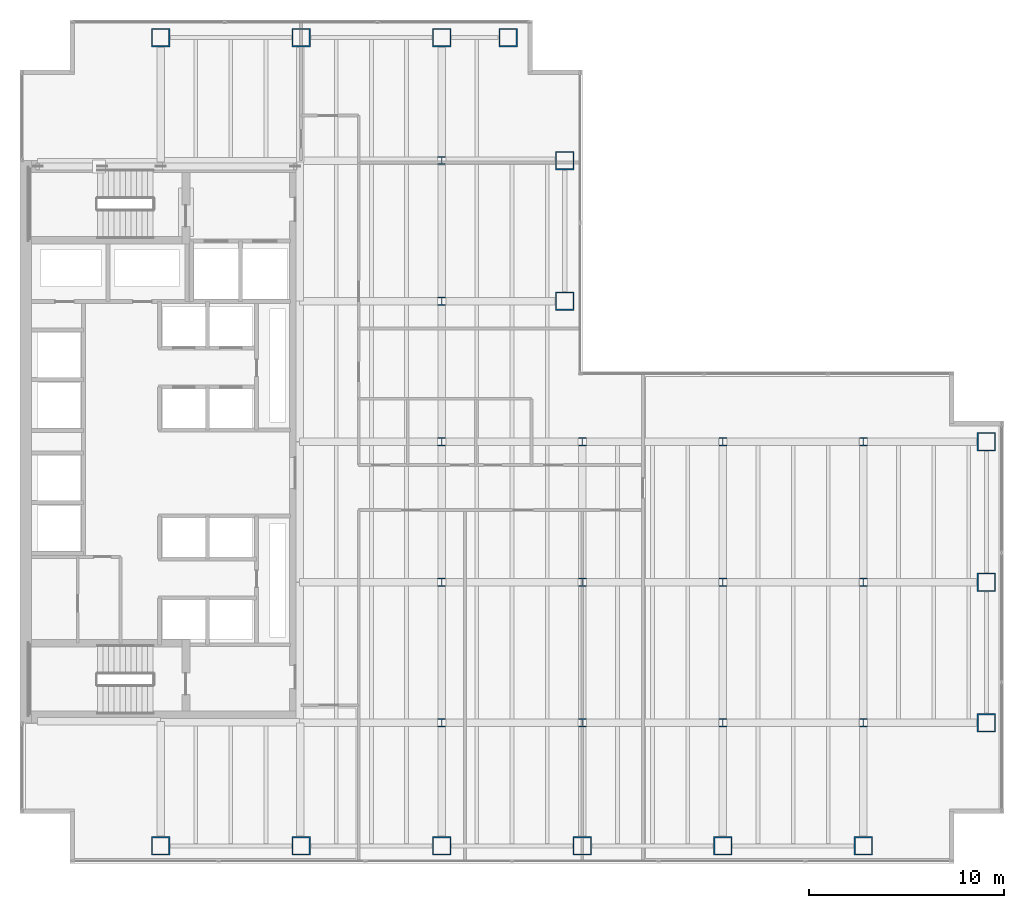
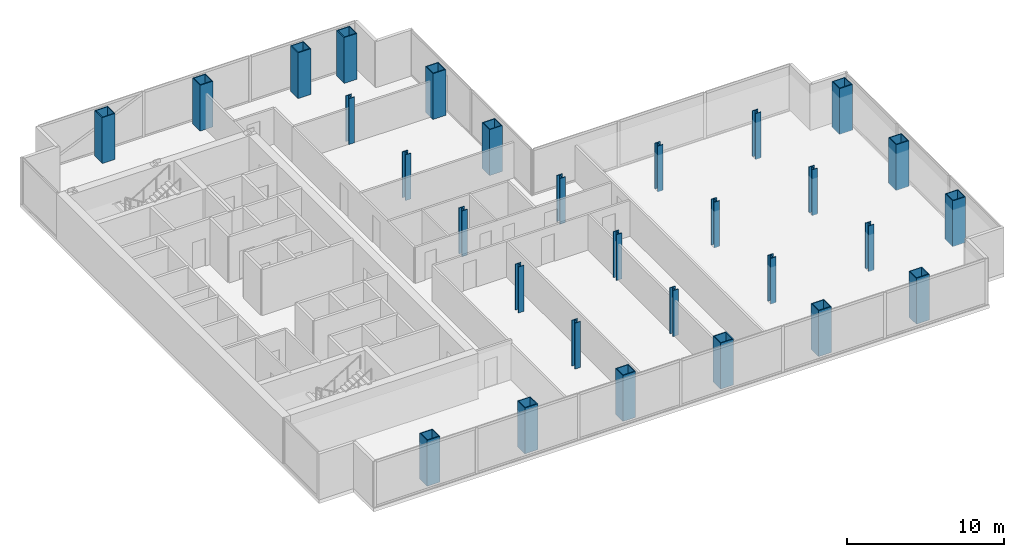
# One storey, part 1 of 24: 29 columns.
"""IFC4 building model written with IfcOpenShell, lengths in metres."""

from ifc_helpers import new_model, si_unit, direction, frame, origin, origin_2d, place, context, subcontext, project, spatial, hollow_rectangle, i_section, extrude, material, material_profile, profile_set, type_object, element, save


model = new_model("IFC4")

# Units and contexts
model_context = context("Model", 3, precision=1e-05, world=origin(), true_north=direction((0.0, 1.0)))
body_context = subcontext(model_context, "Body", "Model", "MODEL_VIEW")
ifc_project = project(units=[si_unit("LENGTHUNIT", "METRE"), si_unit("AREAUNIT", "SQUARE_METRE"), si_unit("VOLUMEUNIT", "CUBIC_METRE"), si_unit("PLANEANGLEUNIT", "RADIAN"), si_unit("MASSUNIT", "GRAM", prefix="KILO")], contexts=[model_context])

# Site, building, storey
site_placement = place(None, origin())
site = spatial("IfcSite", under=ifc_project, at=site_placement, CompositionType="ELEMENT")
building_placement = place(site_placement, origin())
building = spatial("IfcBuilding", under=site, at=building_placement, Name="Cobrela Telecom Tower", CompositionType="ELEMENT")
storey_placement = place(building_placement, frame((0.0, 0.0, 77.35009765625)))
storey = spatial("IfcBuildingStorey", under=building, at=storey_placement, Name="L19", CompositionType="ELEMENT", Elevation=77.35009765625)

# Columns
ifc_material_1 = material(Name="Steel ASTM A992 Grade 50", Category="steel")
ifc_material_profile_1 = material_profile(ifc_material_1, i_section(OverallWidth=0.408935546875, OverallDepth=0.424072265625, WebThickness=0.03271484375, FlangeThickness=0.052490234375, FilletRadius=0.01806640625, at=origin_2d()), Name="W14X283")
ifc_profile_set_1 = profile_set([ifc_material_profile_1], Name="Steel ASTM A992 Grade 50")
column_type_1 = type_object("IfcColumnType", Name="COL-INT-05", PredefinedType="COLUMN", material=ifc_profile_set_1)
for number, where, z_axis, x_axis, name in (
    (1, (21.60009765625, 7.199951171875, 0.0), (0.0, 0.0, 1.0), (1.0, 0.0, 0.0), "L19 Interior Column 06"),
    (2, (21.60009765625, 14.39990234375, 0.0), (0.0, 0.0, 1.0), (1.0, 0.0, 0.0), "L19 Interior Column 07"),
    (3, (21.60009765625, 21.60009765625, 0.0), (0.0, 0.0, 1.0), (1.0, 0.0, 0.0), "L19 Interior Column 08"),
    (4, (21.60009765625, 28.800048828125, 0.0), (0.0, 0.0, 1.0), (1.0, 0.0, 0.0), "L19 Interior Column 09"),
    (5, (21.60009765625, 36.0, 0.0), (0.0, 0.0, 1.0), (1.0, 0.0, 0.0), "L19 Interior Column 10"),
    (6, (28.800048828125, 7.199951171875, 0.0), (0.0, 0.0, 1.0), (1.0, 0.0, 0.0), "L19 Interior Column 16"),
    (7, (28.800048828125, 14.39990234375, 0.0), (0.0, 0.0, 1.0), (1.0, 0.0, 0.0), "L19 Interior Column 17"),
    (8, (28.800048828125, 21.60009765625, 0.0), (0.0, 0.0, 1.0), (1.0, 0.0, 0.0), "L19 Interior Column 18"),
    (9, (36.0, 7.199951171875, 0.0), (0.0, 0.0, 1.0), (1.0, 0.0, 0.0), "L19 Interior Column 20"),
    (10, (36.0, 14.39990234375, 0.0), (0.0, 0.0, 1.0), (1.0, 0.0, 0.0), "L19 Interior Column 21"),
    (11, (36.0, 21.60009765625, 0.0), (0.0, 0.0, 1.0), (1.0, 0.0, 0.0), "L19 Interior Column 22"),
    (12, (43.199951171875, 7.199951171875, 0.0), (0.0, 0.0, 1.0), (1.0, 0.0, 0.0), "L19 Interior Column 24"),
    (13, (43.199951171875, 14.39990234375, 0.0), (0.0, 0.0, 1.0), (1.0, 0.0, 0.0), "L19 Interior Column 25"),
    (14, (43.199951171875, 21.60009765625, 0.0), (0.0, 0.0, 1.0), (1.0, 0.0, 0.0), "L19 Interior Column 26"),
):
    element("IfcColumn", number, at=place(storey_placement, frame(where, z_axis=z_axis, x_axis=x_axis)), inside=storey, type_object=column_type_1, Name=name, PredefinedType="COLUMN", context=body_context, shape_type="SweptSolid", body=[
        extrude(i_section(OverallWidth=0.408935546875, OverallDepth=0.424072265625, WebThickness=0.03271484375, FlangeThickness=0.052490234375, FilletRadius=0.01806640625, at=origin_2d()), origin(), (0.0, 0.0, 1.0), 3.56982421875),
    ])
ifc_material_2 = material(Name="Steel ASTM A572 Grade 50", Category="steel")
ifc_material_profile_2 = material_profile(ifc_material_2, hollow_rectangle(XDim=0.949951171875, YDim=0.949951171875, WallThickness=0.06005859375, at=origin_2d()), Name="BOX 950x950x60")
ifc_profile_set_2 = profile_set([ifc_material_profile_2], Name="Steel ASTM A572 Grade 50")
column_type_2 = type_object("IfcColumnType", Name="COL-MEGA-04", PredefinedType="COLUMN", material=ifc_profile_set_2)
for number, where, z_axis, x_axis, name in (
    (15, (7.199951171875, 0.89990234375, 0.0), (0.0, 0.0, 1.0), (1.0, 0.0, 0.0), "L19 Perimeter Mega-Column 01"),
    (16, (7.199951171875, 42.300048828125, 0.0), (0.0, 0.0, 1.0), (1.0, 0.0, 0.0), "L19 Perimeter Mega-Column 02"),
    (17, (14.39990234375, 0.89990234375, 0.0), (0.0, 0.0, 1.0), (1.0, 0.0, 0.0), "L19 Perimeter Mega-Column 03"),
    (18, (14.39990234375, 42.300048828125, 0.0), (0.0, 0.0, 1.0), (1.0, 0.0, 0.0), "L19 Perimeter Mega-Column 04"),
    (19, (21.60009765625, 0.89990234375, 0.0), (0.0, 0.0, 1.0), (1.0, 0.0, 0.0), "L19 Perimeter Mega-Column 05"),
    (20, (21.60009765625, 42.300048828125, 0.0), (0.0, 0.0, 1.0), (1.0, 0.0, 0.0), "L19 Perimeter Mega-Column 11"),
    (21, (25.0, 42.300048828125, 0.0), (0.0, 0.0, 1.0), (1.0, 0.0, 0.0), "L19 Perimeter Mega-Column 12"),
    (22, (27.89990234375, 28.800048828125, 0.0), (0.0, 0.0, 1.0), (1.0, 0.0, 0.0), "L19 Perimeter Mega-Column 13"),
    (23, (27.89990234375, 36.0, 0.0), (0.0, 0.0, 1.0), (1.0, 0.0, 0.0), "L19 Perimeter Mega-Column 14"),
    (24, (28.800048828125, 0.89990234375, 0.0), (0.0, 0.0, 1.0), (1.0, 0.0, 0.0), "L19 Perimeter Mega-Column 15"),
    (25, (36.0, 0.89990234375, 0.0), (0.0, 0.0, 1.0), (1.0, 0.0, 0.0), "L19 Perimeter Mega-Column 19"),
    (26, (43.199951171875, 0.89990234375, 0.0), (0.0, 0.0, 1.0), (1.0, 0.0, 0.0), "L19 Perimeter Mega-Column 23"),
    (27, (49.5, 7.199951171875, 0.0), (0.0, 0.0, 1.0), (1.0, 0.0, 0.0), "L19 Perimeter Mega-Column 27"),
    (28, (49.5, 14.39990234375, 0.0), (0.0, 0.0, 1.0), (1.0, 0.0, 0.0), "L19 Perimeter Mega-Column 28"),
    (29, (49.5, 21.60009765625, 0.0), (0.0, 0.0, 1.0), (1.0, 0.0, 0.0), "L19 Perimeter Mega-Column 29"),
):
    element("IfcColumn", number, at=place(storey_placement, frame(where, z_axis=z_axis, x_axis=x_axis)), inside=storey, type_object=column_type_2, Name=name, PredefinedType="COLUMN", context=body_context, shape_type="SweptSolid", body=[
        extrude(hollow_rectangle(XDim=0.949951171875, YDim=0.949951171875, WallThickness=0.06005859375, at=origin_2d()), origin(), (0.0, 0.0, 1.0), 3.56982421875),
    ])

save(model, "model.ifc")
